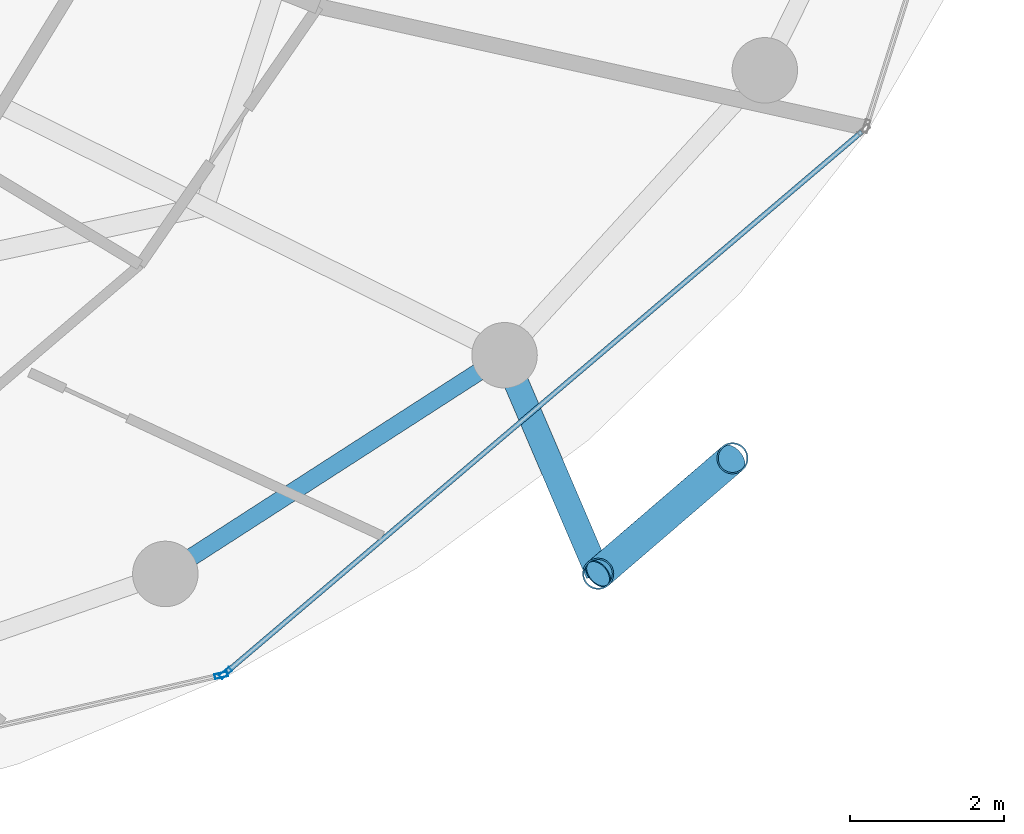
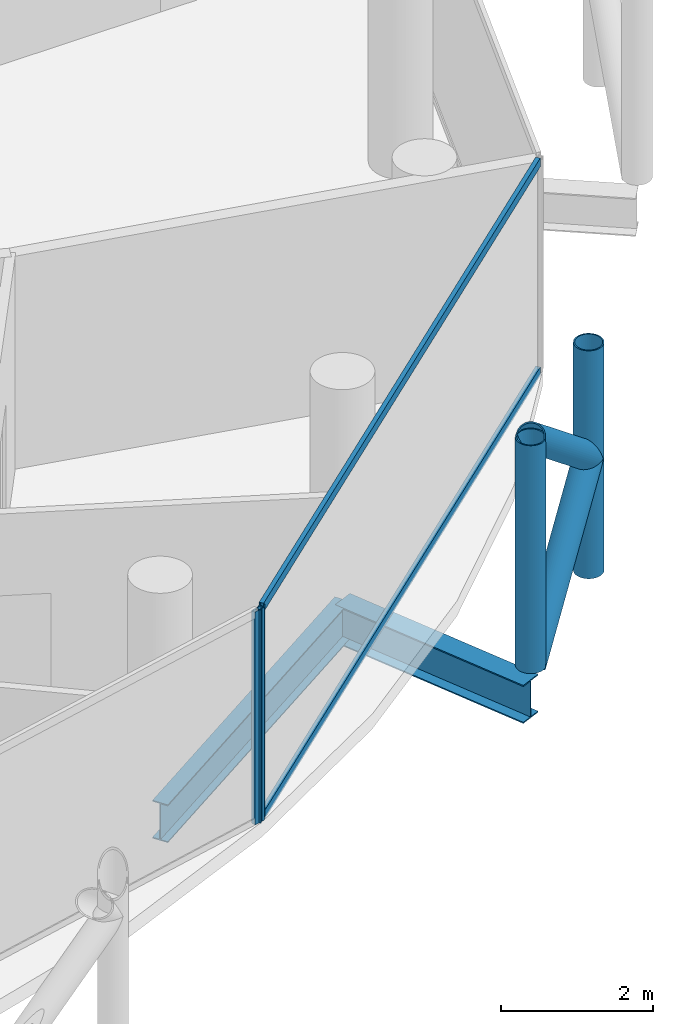
# One storey, part 11 of 27: 8 members, 2 beams, 2 elements without a shape of their own.
"""IFC4 building model written with IfcOpenShell, lengths in metres."""

from ifc_helpers import new_model, si_unit, direction, frame, origin, origin_2d, place, context, subcontext, project, spatial, hollow_rectangle, hollow_circle, i_section, extrude, material, layer, layer_set, material_profile, profile_set, type_object, element, aggregate, save


model = new_model("IFC4")

# Units and contexts
model_context = context("Model", 3, precision=1e-05, world=origin(), true_north=direction((0.0, 1.0)))
body_context = subcontext(model_context, "Body", "Model", "MODEL_VIEW")
ifc_project = project(units=[si_unit("LENGTHUNIT", "METRE"), si_unit("AREAUNIT", "SQUARE_METRE"), si_unit("VOLUMEUNIT", "CUBIC_METRE"), si_unit("PLANEANGLEUNIT", "RADIAN"), si_unit("MASSUNIT", "GRAM", prefix="KILO")], contexts=[model_context])

# Site, building, storey
site_placement = place(None, origin())
site = spatial("IfcSite", under=ifc_project, at=site_placement, CompositionType="ELEMENT")
building_placement = place(site_placement, origin())
building = spatial("IfcBuilding", under=site, at=building_placement, Name="Nuhasar Tower", CompositionType="ELEMENT")
storey_placement = place(building_placement, frame((0.0, 0.0, 230.050048828125)))
storey = spatial("IfcBuildingStorey", under=building, at=storey_placement, Name="L56", CompositionType="ELEMENT", Elevation=230.050048828125)

# Beams
ifc_material_1 = material(Name="Steel S355", Category="steel")
ifc_material_profile_1 = material_profile(ifc_material_1, i_section(OverallWidth=0.22802734375, OverallDepth=0.60791015625, WebThickness=0.01123046875, FlangeThickness=0.017333984375, at=origin_2d()), Name="W24X76")
ifc_profile_set_1 = profile_set([ifc_material_profile_1], Name="Steel S355")
beam_type_1 = type_object("IfcBeamType", Name="BM-RING-W24X76", PredefinedType="SPANDREL", material=ifc_profile_set_1)
beam_1_placement = place(storey_placement, frame((49.625, 11.341064453125, -0.5439453125), z_axis=(0.840502144969, 0.541808217272, 0.0), x_axis=(-0.541808217272, 0.840502144969, 0.0)))
element("IfcBeam", 1, at=beam_1_placement, inside=storey, type_object=beam_type_1, Name="L56 Perimeter Ring Spandrel 21", PredefinedType="SPANDREL", context=body_context, shape_type="SweptSolid", body=[
    extrude(i_section(OverallWidth=0.22802734375, OverallDepth=0.60791015625, WebThickness=0.01123046875, FlangeThickness=0.017333984375, at=origin_2d()), origin(), (0.0, 0.0, 1.0), 5.236083984375),
])
ifc_material_profile_2 = material_profile(ifc_material_1, i_section(OverallWidth=0.323974609375, OverallDepth=0.611083984375, WebThickness=0.0126953125, FlangeThickness=0.01904296875, at=origin_2d()), Name="W24X104")
ifc_profile_set_2 = profile_set([ifc_material_profile_2], Name="Steel S355")
beam_type_2 = type_object("IfcBeamType", Name="BM-TIE-W24X104", PredefinedType="BEAM", material=ifc_profile_set_2)
beam_2_placement = place(storey_placement, frame((54.02587890625, 14.177978515625, -0.545166015625), z_axis=(0.393680429682, -0.919247365667, 0.0), x_axis=(0.919247365667, 0.393680429682, 0.0)))
element("IfcBeam", 2, at=beam_2_placement, inside=storey, type_object=beam_type_2, Name="L56 Exoskeleton Node Tie Beam 11", PredefinedType="BEAM", context=body_context, shape_type="SweptSolid", body=[
    extrude(i_section(OverallWidth=0.323974609375, OverallDepth=0.611083984375, WebThickness=0.0126953125, FlangeThickness=0.01904296875, at=origin_2d()), origin(), (0.0, 0.0, 1.0), 3.083984375),
])

# Curtain wall, member
ifc_material_2 = material(Name="Aluminium 6063-T6", Category="aluminium")
ifc_layer = layer(ifc_material_2, 0.18994140625)
ifc_layer_set = layer_set([ifc_layer], Name="Aluminium 6063-T6")
curtain_wall_type = type_object("IfcCurtainWallType", Name="CW-Z3-RES", PredefinedType="NOTDEFINED", material=ifc_layer_set)
curtain_wall_1_placement = place(storey_placement, origin())
curtain_wall_1 = element("IfcCurtainWall", 3, at=curtain_wall_1_placement, inside=storey, type_object=curtain_wall_type, Name="L56 Unitised Curtain Wall 10", PredefinedType="NOTDEFINED")
ifc_material_profile_3 = material_profile(ifc_material_2, hollow_rectangle(XDim=0.06494140625, YDim=0.169921875, WallThickness=0.0048828125, at=origin_2d()), Name="CWM-4")
ifc_profile_set_3 = profile_set([ifc_material_profile_3], Name="Aluminium 6063-T6")
member_type_1 = type_object("IfcMemberType", Name="CW-MUL-S4", PredefinedType="MULLION", material=ifc_profile_set_3)
member_1_placement = place(storey_placement, frame((50.348388671875, 10.02685546875, 0.0), z_axis=(0.0, 0.0, 1.0), x_axis=(-0.222243176313, 0.974991266926, 0.0)))
member_1 = element("IfcMember", 4, at=member_1_placement, type_object=member_type_1, Name="CW-Z3 mullion 2", PredefinedType="MULLION", context=body_context, shape_type="SweptSolid", body=[
    extrude(hollow_rectangle(XDim=0.06494140625, YDim=0.169921875, WallThickness=0.0048828125, at=origin_2d()), origin(), (0.0, 0.0, 1.0), 3.409912109375),
])
aggregate(curtain_wall_1, [member_1])

# Curtain wall, members
curtain_wall_2_placement = place(storey_placement, origin())
curtain_wall_2 = element("IfcCurtainWall", 5, at=curtain_wall_2_placement, inside=storey, type_object=curtain_wall_type, Name="L56 Unitised Curtain Wall 11", PredefinedType="NOTDEFINED")
member_2_placement = place(storey_placement, frame((50.40478515625, 10.05517578125, 0.0), z_axis=(0.0, 0.0, 1.0), x_axis=(-0.64789521578, 0.761729472562, 0.0)))
member_2 = element("IfcMember", 6, at=member_2_placement, type_object=member_type_1, Name="CW-Z3 mullion 1", PredefinedType="MULLION", context=body_context, shape_type="SweptSolid", body=[
    extrude(hollow_rectangle(XDim=0.06494140625, YDim=0.169921875, WallThickness=0.0048828125, at=origin_2d()), origin(), (0.0, 0.0, 1.0), 3.409912109375),
])
ifc_material_profile_4 = material_profile(ifc_material_2, hollow_rectangle(XDim=0.06494140625, YDim=0.139892578125, WallThickness=0.00439453125, at=origin_2d()), Name="CWT-4")
ifc_profile_set_4 = profile_set([ifc_material_profile_4], Name="Aluminium 6063-T6")
member_type_2 = type_object("IfcMemberType", Name="CW-TRN-S4", PredefinedType="USERDEFINED", material=ifc_profile_set_4)
member_3_placement = place(storey_placement, frame((50.429443359375, 10.076171875, 0.032470703125), z_axis=(0.761730809511, 0.647893643928, 0.0), x_axis=(-0.647893643928, 0.761730809511, 0.0)))
member_3 = element("IfcMember", 7, at=member_3_placement, type_object=member_type_2, Name="CW-Z3 transom 1.1", ObjectType="TRANSOM", PredefinedType="USERDEFINED", context=body_context, shape_type="SweptSolid", body=[
    extrude(hollow_rectangle(XDim=0.06494140625, YDim=0.139892578125, WallThickness=0.00439453125, at=origin_2d()), origin(), (0.0, 0.0, 1.0), 10.806884765625),
])
member_4_placement = place(storey_placement, frame((50.429443359375, 10.076171875, 3.37744140625), z_axis=(0.761730809511, 0.647893643928, 0.0), x_axis=(-0.647893643928, 0.761730809511, 0.0)))
member_4 = element("IfcMember", 8, at=member_4_placement, type_object=member_type_2, Name="CW-Z3 transom 1.2", ObjectType="TRANSOM", PredefinedType="USERDEFINED", context=body_context, shape_type="SweptSolid", body=[
    extrude(hollow_rectangle(XDim=0.06494140625, YDim=0.139892578125, WallThickness=0.00439453125, at=origin_2d()), origin(), (0.0, 0.0, 1.0), 10.806884765625),
])
aggregate(curtain_wall_2, [member_2, member_3, member_4])

# Members
ifc_material_3 = material(Name="Steel S460", Category="steel")
ifc_material_profile_5 = material_profile(ifc_material_3, hollow_circle(Radius=0.203125, WallThickness=0.01904296875, at=origin_2d()), Name="HSS406.4X19.1")
ifc_profile_set_5 = profile_set([ifc_material_profile_5], Name="Steel S460")
member_type_3 = type_object("IfcMemberType", Name="EXO-BRONZE-406", PredefinedType="BRACE", material=ifc_profile_set_5)
for number, where, z_axis, x_axis, name in (
    (9, (55.239990234375, 11.343017578125, 0.0), (0.0, 0.0, 1.0), (1.0, 0.0, 0.0), "L56 Exoskeleton Chord Column EC-11A"),
    (10, (56.98388671875, 12.842041015625, 0.0), (0.0, 0.0, 1.0), (1.0, 0.0, 0.0), "L56 Exoskeleton Chord Column EC-11B"),
):
    element("IfcMember", number, at=place(storey_placement, frame(where, z_axis=z_axis, x_axis=x_axis)), inside=storey, type_object=member_type_3, Name=name, PredefinedType="BRACE", context=body_context, shape_type="SweptSolid", body=[
        extrude(hollow_circle(Radius=0.203125, WallThickness=0.01904296875, at=origin_2d()), origin(), (0.0, 0.0, 1.0), 3.64990234375),
    ])
for number, where, z_axis, x_axis, name in (
    (11, (55.239990234375, 11.343017578125, 0.0), (0.594018535389, 0.510608120858, 0.621627964725), (-0.65185738425, 0.758341579104, 0.0), "L56 Bronze Diagrid Brace W1-11"),
    (12, (56.98388671875, 12.842041015625, 1.824951171875), (-0.594018535389, -0.510608120858, 0.621627964725), (0.65185738425, -0.758341579104, 0.0), "L56 Bronze Diagrid Brace W2-11"),
):
    element("IfcMember", number, at=place(storey_placement, frame(where, z_axis=z_axis, x_axis=x_axis)), inside=storey, type_object=member_type_3, Name=name, PredefinedType="BRACE", context=body_context, shape_type="SweptSolid", body=[
        extrude(hollow_circle(Radius=0.203125, WallThickness=0.01904296875, at=origin_2d()), origin(), (0.0, 0.0, 1.0), 2.935791015625),
    ])

save(model, "model.ifc")
